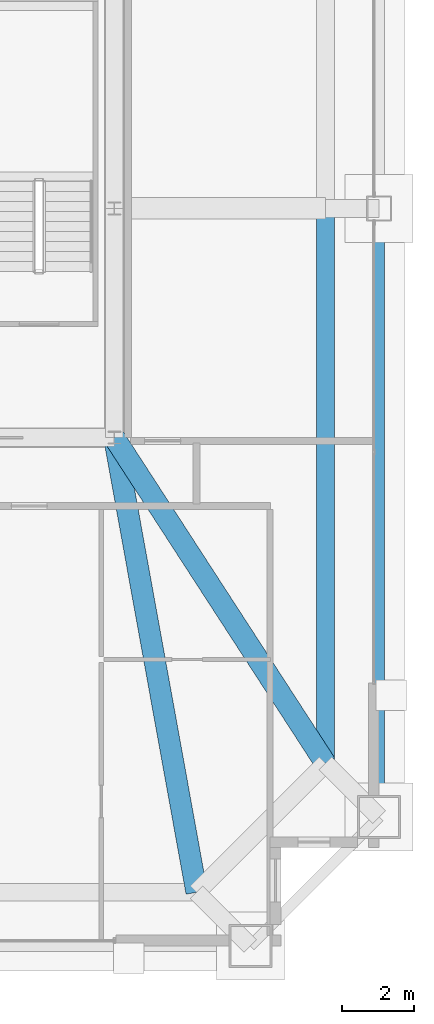
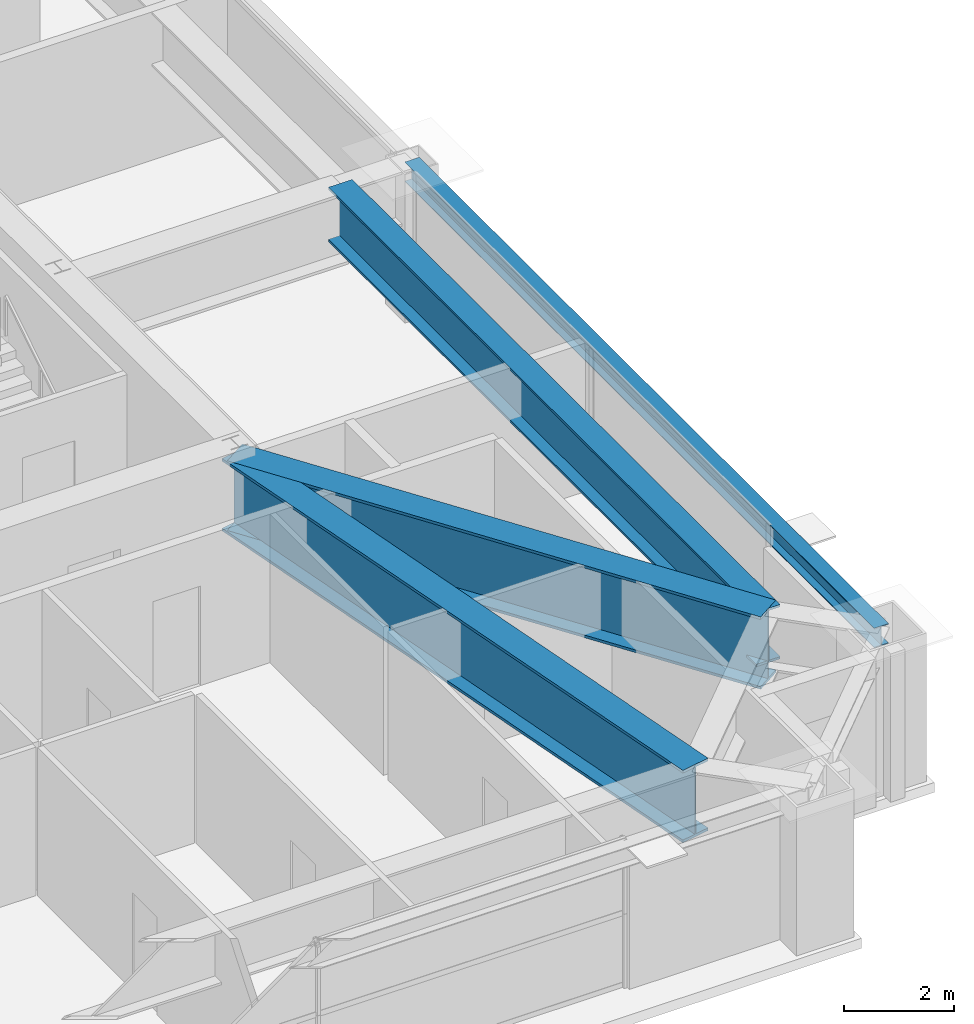
# One storey, part 15 of 33: 4 beams.
"""IFC4 building model written with IfcOpenShell, lengths in metres."""

from ifc_helpers import new_model, si_unit, direction, frame, origin, origin_2d, place, context, subcontext, project, spatial, i_section, extrude, source, transform, mapped, material, material_profile, profile_set, type_object, element, save


model = new_model("IFC4")

# Units and contexts
model_context = context("Model", 3, precision=1e-05, world=origin(), true_north=direction((0.0, 1.0)))
body_context = subcontext(model_context, "Body", "Model", "MODEL_VIEW")
ifc_project = project(units=[si_unit("LENGTHUNIT", "METRE"), si_unit("AREAUNIT", "SQUARE_METRE"), si_unit("VOLUMEUNIT", "CUBIC_METRE"), si_unit("PLANEANGLEUNIT", "RADIAN"), si_unit("MASSUNIT", "GRAM", prefix="KILO"), si_unit("THERMODYNAMICTEMPERATUREUNIT", "KELVIN"), si_unit("POWERUNIT", "WATT")], contexts=[model_context])

# Site, building, storey
site_placement = place(None, origin())
site = spatial("IfcSite", under=ifc_project, at=site_placement, CompositionType="ELEMENT")
building_placement = place(site_placement, origin())
building = spatial("IfcBuilding", under=site, at=building_placement, Name="Yuzanri Waterfront Tower", CompositionType="ELEMENT")
storey_placement = place(building_placement, frame((0.0, 0.0, 282.10009765625)))
storey = spatial("IfcBuildingStorey", under=building, at=storey_placement, Name="L75", CompositionType="ELEMENT", Elevation=282.10009765625)

# Beams
ifc_material_1 = material(Name="Steel Q355B", Category="steel")
ifc_material_profile_1 = material_profile(ifc_material_1, i_section(OverallWidth=0.300048828125, OverallDepth=0.43994140625, WebThickness=0.010986328125, FlangeThickness=0.01806640625, at=origin_2d()), Name="HM 440x300x11x18")
ifc_profile_set_1 = profile_set([ifc_material_profile_1], Name="Steel Q355B")
beam_type_1 = type_object("IfcBeamType", Name="Perimeter Spandrel Q355B HM 440x300", PredefinedType="SPANDREL", material=ifc_profile_set_1)
shared_shape_1 = source(origin(), body_context, "Body", "SweptSolid", [
    extrude(i_section(OverallWidth=0.300048828125, OverallDepth=0.43994140625, WebThickness=0.010986328125, FlangeThickness=0.01806640625, at=origin_2d()), origin(), (0.0, 0.0, 1.0), 17.0),
])
beam_1_placement = place(storey_placement, frame((57.60009765625, 8.800048828125, 3.059814453125), z_axis=(0.0, 1.0, 0.0), x_axis=(-1.0, 0.0, 0.0)))
element("IfcBeam", 1, at=beam_1_placement, inside=storey, type_object=beam_type_1, Name="L75 Perimeter Spandrel E1-E2", PredefinedType="SPANDREL", context=body_context, shape_type="MappedRepresentation", body=[
    mapped(shared_shape_1, transform((0.0, 0.0, 0.0), scale=1.0)),
])
ifc_material_2 = material(Name="Steel Q420GJC", Category="steel")
ifc_material_profile_2 = material_profile(ifc_material_2, i_section(OverallWidth=0.60009765625, OverallDepth=1.60009765625, WebThickness=0.031982421875, FlangeThickness=0.06005859375, at=origin_2d()), Name="PG 1600x600x32x60")
ifc_profile_set_2 = profile_set([ifc_material_profile_2], Name="Steel Q420GJC")
beam_type_2 = type_object("IfcBeamType", Name="Ballroom Transfer Girder Q420GJC PG 1600x600", PredefinedType="USERDEFINED", material=ifc_profile_set_2)
shared_shape_2 = source(origin(), body_context, "Body", "SweptSolid", [
    extrude(i_section(OverallWidth=0.60009765625, OverallDepth=1.60009765625, WebThickness=0.031982421875, FlangeThickness=0.06005859375, at=origin_2d()), origin(), (0.0, 0.0, 1.0), 12.906494140625),
])
beam_2_placement = place(storey_placement, frame((50.199951171875, 19.39990234375, 2.47998046875), z_axis=(0.178207899331, -0.983992858011, 0.0), x_axis=(0.983992858011, 0.178207899331, 0.0)))
element("IfcBeam", 2, at=beam_2_placement, inside=storey, type_object=beam_type_2, Name="L75 Setback Inner Transfer S3", ObjectType="GIRDER", PredefinedType="USERDEFINED", context=body_context, shape_type="MappedRepresentation", body=[
    mapped(shared_shape_2, transform((0.0, 0.0, 0.0), scale=1.0)),
])
shared_shape_3 = source(origin(), body_context, "Body", "SweptSolid", [
    extrude(i_section(OverallWidth=0.60009765625, OverallDepth=1.60009765625, WebThickness=0.031982421875, FlangeThickness=0.06005859375, at=origin_2d()), origin(), (0.0, 0.0, 1.0), 10.84521484375),
])
beam_3_placement = place(storey_placement, frame((50.199951171875, 19.39990234375, 2.47998046875), z_axis=(0.544031363156, -0.839064881819, 0.0), x_axis=(0.839064881819, 0.544031363156, 0.0)))
element("IfcBeam", 3, at=beam_3_placement, inside=storey, type_object=beam_type_2, Name="L75 Setback Inner Transfer E1", ObjectType="GIRDER", PredefinedType="USERDEFINED", context=body_context, shape_type="MappedRepresentation", body=[
    mapped(shared_shape_3, transform((0.0, 0.0, 0.0), scale=1.0)),
])
ifc_material_3 = material(Name="Steel Q420GJC", Category="steel")
ifc_material_profile_3 = material_profile(ifc_material_3, i_section(OverallWidth=0.5, OverallDepth=1.199951171875, WebThickness=0.028076171875, FlangeThickness=0.050048828125, at=origin_2d()), Name="PG 1200x500x28x50")
ifc_profile_set_3 = profile_set([ifc_material_profile_3], Name="Steel Q420GJC")
beam_type_3 = type_object("IfcBeamType", Name="Setback Transfer Girder Q420GJC PG 1200x500", PredefinedType="USERDEFINED", material=ifc_profile_set_3)
shared_shape_4 = source(origin(), body_context, "Body", "SweptSolid", [
    extrude(i_section(OverallWidth=0.5, OverallDepth=1.199951171875, WebThickness=0.028076171875, FlangeThickness=0.050048828125, at=origin_2d()), origin(), (0.0, 0.0, 1.0), 15.5),
])
beam_4_placement = place(storey_placement, frame((56.10009765625, 10.300048828125, 2.679931640625), z_axis=(0.0, 1.0, 0.0), x_axis=(-1.0, 0.0, 0.0)))
element("IfcBeam", 4, at=beam_4_placement, inside=storey, type_object=beam_type_3, Name="L75 Setback Upper Ring E1-E2", ObjectType="GIRDER", PredefinedType="USERDEFINED", context=body_context, shape_type="MappedRepresentation", body=[
    mapped(shared_shape_4, transform((0.0, 0.0, 0.0), scale=1.0)),
])

save(model, "model.ifc")
